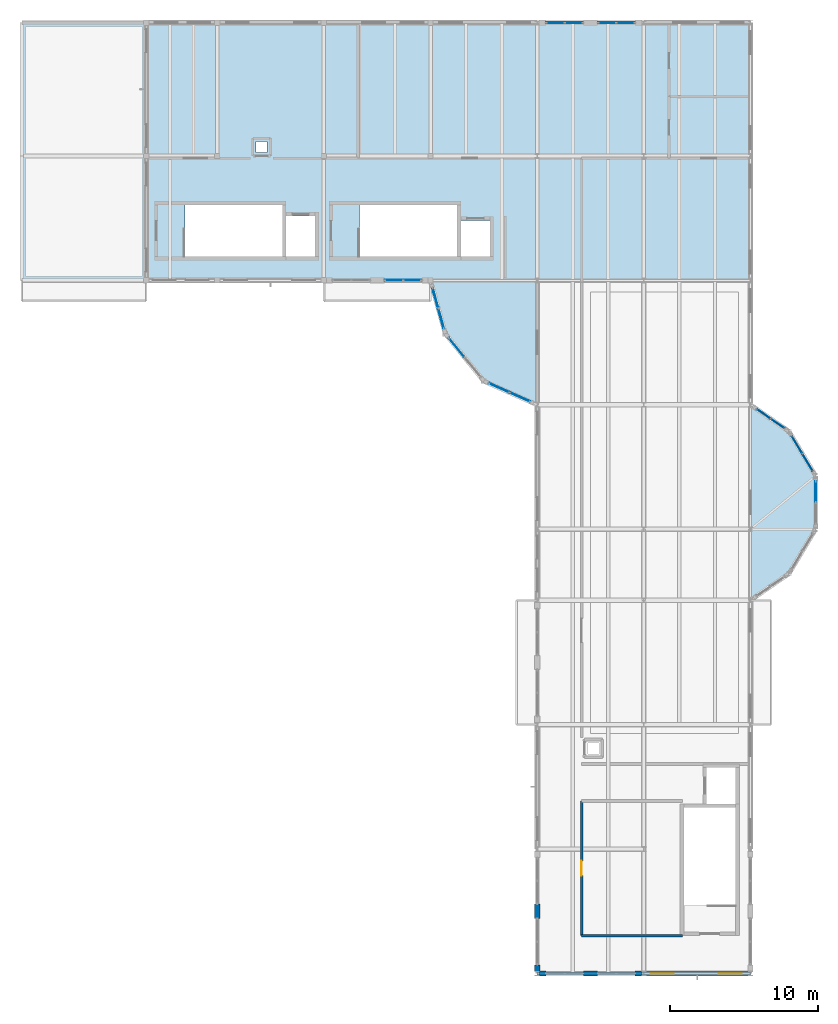
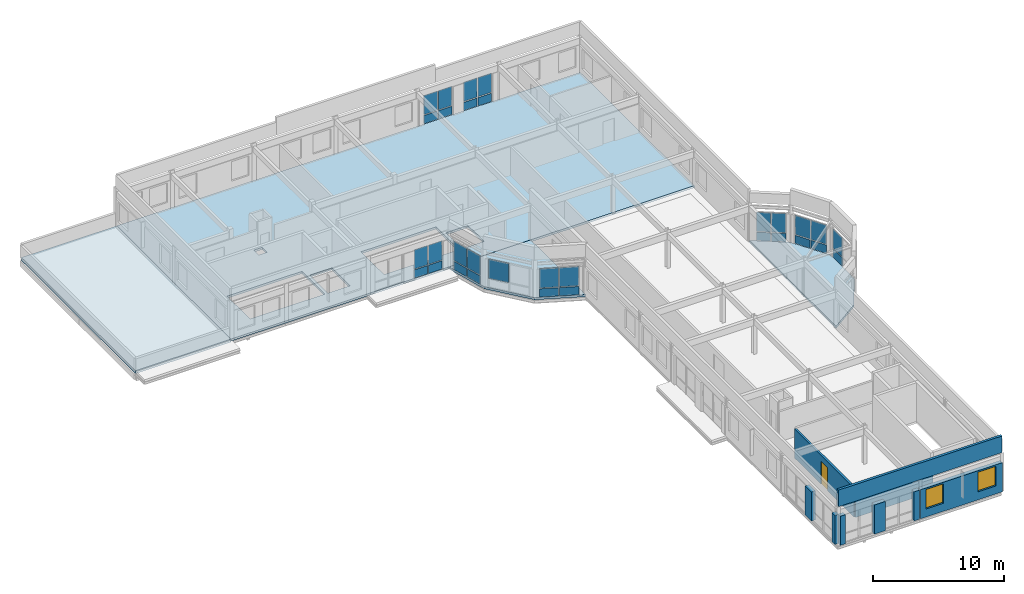
# One storey, part 15 of 21: 31 plates, 9 walls, 4 slabs, 2 windows, 1 door, 3 openings, 9 elements without a shape of their own.
"""IFC4 building model written with IfcOpenShell, lengths in metres."""

from ifc_helpers import new_model, si_unit, direction, frame, frame_2d, origin, origin_2d, place, context, subcontext, project, spatial, polyline, rectangle, outline, extrude, material, layer, layer_set, type_object, element, fill, aggregate, save


model = new_model("IFC4")

# Units and contexts
model_context = context("Model", 3, precision=1e-05, world=origin(), true_north=direction((0.0, 1.0)))
body_context = subcontext(model_context, "Body", "Model", "MODEL_VIEW")
ifc_project = project(units=[si_unit("LENGTHUNIT", "METRE"), si_unit("AREAUNIT", "SQUARE_METRE"), si_unit("VOLUMEUNIT", "CUBIC_METRE"), si_unit("PLANEANGLEUNIT", "RADIAN"), si_unit("MASSUNIT", "GRAM", prefix="KILO")], contexts=[model_context])

# Site, building, storey
site_placement = place(None, origin())
site = spatial("IfcSite", under=ifc_project, at=site_placement, CompositionType="ELEMENT")
building_placement = place(site_placement, origin())
building = spatial("IfcBuilding", under=site, at=building_placement, Name="Kahlenmark Community Centre", CompositionType="ELEMENT")
storey_placement = place(building_placement, frame((0.0, 0.0, 21.60009765625)))
storey = spatial("IfcBuildingStorey", under=building, at=storey_placement, Name="L05", CompositionType="ELEMENT", Elevation=21.60009765625)

# Curtain wall, plates
ifc_material_1 = material(Name="Anodised aluminium unitised curtain wall", Category="aluminium")
curtain_wall_type_1 = type_object("IfcCurtainWallType", Name="CWT-UNIT-232X271", PredefinedType="USERDEFINED", material=ifc_material_1)
curtain_wall_1_placement = place(storey_placement, origin())
curtain_wall_1 = element("IfcCurtainWall", 1, at=curtain_wall_1_placement, inside=storey, type_object=curtain_wall_type_1, Name="Unitised curtain wall CW-175", ObjectType="UNITISED CURTAIN WALL", PredefinedType="USERDEFINED")
ifc_material_2 = material(Name="Triple low-e solar-control glass unit", Category="glass")
ifc_layer_1 = layer(ifc_material_2, 0.0439453125)
ifc_layer_set_1 = layer_set([ifc_layer_1], Name="Triple low-e solar-control glass unit")
plate_type_1 = type_object("IfcPlateType", Name="PLT-CW-GLZ-1081X1780", PredefinedType="CURTAIN_PANEL", material=ifc_layer_set_1)
plate_1_placement = place(storey_placement, frame((88.643310546875, 87.924072265625, 0.8896484375), z_axis=(0.0, 0.0, 1.0), x_axis=(-0.822190736534, 0.56921208065, 0.0)))
plate_1 = element("IfcPlate", 2, at=plate_1_placement, type_object=plate_type_1, Name="CW-175 glazed panel 1", PredefinedType="CURTAIN_PANEL", context=body_context, shape_type="SweptSolid", body=[
    extrude(rectangle(XDim=1.081298828125, YDim=0.0439453125, at=origin_2d()), origin(), (0.0, 0.0, 1.0), 1.780029296875),
])
plate_2_placement = place(storey_placement, frame((87.6884765625, 88.5849609375, 0.8896484375), z_axis=(0.0, 0.0, 1.0), x_axis=(-0.822190736534, 0.56921208065, 0.0)))
plate_2 = element("IfcPlate", 3, at=plate_2_placement, type_object=plate_type_1, Name="CW-175 glazed panel 2", PredefinedType="CURTAIN_PANEL", context=body_context, shape_type="SweptSolid", body=[
    extrude(rectangle(XDim=1.081298828125, YDim=0.0439453125, at=origin_2d()), origin(), (0.0, 0.0, 1.0), 1.780029296875),
])

curtain_wall_type_2 = type_object("IfcCurtainWallType", Name="CWT-UNIT-254X271", PredefinedType="USERDEFINED", material=ifc_material_1)
curtain_wall_2_placement = place(storey_placement, origin())
curtain_wall_2 = element("IfcCurtainWall", 4, at=curtain_wall_2_placement, inside=storey, type_object=curtain_wall_type_2, Name="Unitised curtain wall CW-140", ObjectType="UNITISED CURTAIN WALL", PredefinedType="USERDEFINED")
ifc_layer_2 = layer(ifc_material_2, 0.0439453125)
ifc_layer_set_2 = layer_set([ifc_layer_2], Name="Triple low-e solar-control glass unit")
plate_type_2 = type_object("IfcPlateType", Name="PLT-CW-GLZ-1190X1780", PredefinedType="CURTAIN_PANEL", material=ifc_layer_set_2)
plate_3_placement = place(storey_placement, frame((62.715087890625, 97.60009765625, 0.8896484375), z_axis=(0.0, 0.0, 1.0), x_axis=(1.0, 0.0, 0.0)))
plate_3 = element("IfcPlate", 5, at=plate_3_placement, type_object=plate_type_2, Name="CW-140 glazed panel 1", PredefinedType="CURTAIN_PANEL", context=body_context, shape_type="SweptSolid", body=[
    extrude(rectangle(XDim=1.18994140625, YDim=0.0439453125, at=origin_2d()), origin(), (0.0, 0.0, 1.0), 1.780029296875),
])
plate_4_placement = place(storey_placement, frame((63.985107421875, 97.60009765625, 0.8896484375), z_axis=(0.0, 0.0, 1.0), x_axis=(1.0, 0.0, 0.0)))
plate_4 = element("IfcPlate", 6, at=plate_4_placement, type_object=plate_type_2, Name="CW-140 glazed panel 2", PredefinedType="CURTAIN_PANEL", context=body_context, shape_type="SweptSolid", body=[
    extrude(rectangle(XDim=1.18994140625, YDim=0.0439453125, at=origin_2d()), origin(), (0.0, 0.0, 1.0), 1.780029296875),
])

curtain_wall_3_placement = place(storey_placement, origin())
curtain_wall_3 = element("IfcCurtainWall", 7, at=curtain_wall_3_placement, inside=storey, type_object=curtain_wall_type_2, Name="Unitised curtain wall CW-141", ObjectType="UNITISED CURTAIN WALL", PredefinedType="USERDEFINED")
plate_5_placement = place(storey_placement, frame((78.385009765625, 115.0, 0.8896484375), z_axis=(0.0, 0.0, 1.0), x_axis=(-1.0, 0.0, 0.0)))
plate_5 = element("IfcPlate", 8, at=plate_5_placement, type_object=plate_type_2, Name="CW-141 glazed panel 1", PredefinedType="CURTAIN_PANEL", context=body_context, shape_type="SweptSolid", body=[
    extrude(rectangle(XDim=1.18994140625, YDim=0.0439453125, at=origin_2d()), origin(), (0.0, 0.0, 1.0), 1.780029296875),
])
plate_6_placement = place(storey_placement, frame((77.114990234375, 115.0, 0.8896484375), z_axis=(0.0, 0.0, 1.0), x_axis=(-1.0, 0.0, 0.0)))
plate_6 = element("IfcPlate", 9, at=plate_6_placement, type_object=plate_type_2, Name="CW-141 glazed panel 2", PredefinedType="CURTAIN_PANEL", context=body_context, shape_type="SweptSolid", body=[
    extrude(rectangle(XDim=1.18994140625, YDim=0.0439453125, at=origin_2d()), origin(), (0.0, 0.0, 1.0), 1.780029296875),
])

curtain_wall_4_placement = place(storey_placement, origin())
curtain_wall_4 = element("IfcCurtainWall", 10, at=curtain_wall_4_placement, inside=storey, type_object=curtain_wall_type_2, Name="Unitised curtain wall CW-142", ObjectType="UNITISED CURTAIN WALL", PredefinedType="USERDEFINED")
plate_7_placement = place(storey_placement, frame((74.885009765625, 115.0, 0.8896484375), z_axis=(0.0, 0.0, 1.0), x_axis=(-1.0, 0.0, 0.0)))
plate_7 = element("IfcPlate", 11, at=plate_7_placement, type_object=plate_type_2, Name="CW-142 glazed panel 1", PredefinedType="CURTAIN_PANEL", context=body_context, shape_type="SweptSolid", body=[
    extrude(rectangle(XDim=1.18994140625, YDim=0.0439453125, at=origin_2d()), origin(), (0.0, 0.0, 1.0), 1.780029296875),
])
plate_8_placement = place(storey_placement, frame((73.614990234375, 115.0, 0.8896484375), z_axis=(0.0, 0.0, 1.0), x_axis=(-1.0, 0.0, 0.0)))
plate_8 = element("IfcPlate", 12, at=plate_8_placement, type_object=plate_type_2, Name="CW-142 glazed panel 2", PredefinedType="CURTAIN_PANEL", context=body_context, shape_type="SweptSolid", body=[
    extrude(rectangle(XDim=1.18994140625, YDim=0.0439453125, at=origin_2d()), origin(), (0.0, 0.0, 1.0), 1.780029296875),
])

curtain_wall_type_3 = type_object("IfcCurtainWallType", Name="CWT-UNIT-282X271", PredefinedType="USERDEFINED", material=ifc_material_1)
curtain_wall_5_placement = place(storey_placement, origin())
curtain_wall_5 = element("IfcCurtainWall", 13, at=curtain_wall_5_placement, inside=storey, type_object=curtain_wall_type_3, Name="Unitised curtain wall CW-174", ObjectType="UNITISED CURTAIN WALL", PredefinedType="USERDEFINED")
ifc_layer_3 = layer(ifc_material_2, 0.0439453125)
ifc_layer_set_3 = layer_set([ifc_layer_3], Name="Triple low-e solar-control glass unit")
plate_type_3 = type_object("IfcPlateType", Name="PLT-CW-GLZ-1329X1780", PredefinedType="CURTAIN_PANEL", material=ifc_layer_set_3)
plate_9_placement = place(storey_placement, frame((90.66259765625, 85.295654296875, 0.8896484375), z_axis=(0.0, 0.0, 1.0), x_axis=(-0.514496405972, 0.857492535386, 0.0)))
plate_9 = element("IfcPlate", 14, at=plate_9_placement, type_object=plate_type_3, Name="CW-174 glazed panel 1", PredefinedType="CURTAIN_PANEL", context=body_context, shape_type="SweptSolid", body=[
    extrude(rectangle(XDim=1.329345703125, YDim=0.0439453125, at=origin_2d()), origin(), (0.0, 0.0, 1.0), 1.780029296875),
])
plate_10_placement = place(storey_placement, frame((89.9375, 86.504150390625, 0.8896484375), z_axis=(0.0, 0.0, 1.0), x_axis=(-0.514496405972, 0.857492535386, 0.0)))
plate_10 = element("IfcPlate", 15, at=plate_10_placement, type_object=plate_type_3, Name="CW-174 glazed panel 2", PredefinedType="CURTAIN_PANEL", context=body_context, shape_type="SweptSolid", body=[
    extrude(rectangle(XDim=1.329345703125, YDim=0.0439453125, at=origin_2d()), origin(), (0.0, 0.0, 1.0), 1.780029296875),
])

curtain_wall_type_4 = type_object("IfcCurtainWallType", Name="CWT-UNIT-290X271", PredefinedType="USERDEFINED", material=ifc_material_1)
curtain_wall_6_placement = place(storey_placement, origin())
curtain_wall_6 = element("IfcCurtainWall", 16, at=curtain_wall_6_placement, inside=storey, type_object=curtain_wall_type_4, Name="Unitised curtain wall CW-188", ObjectType="UNITISED CURTAIN WALL", PredefinedType="USERDEFINED")
ifc_layer_4 = layer(ifc_material_2, 0.0439453125)
ifc_layer_set_4 = layer_set([ifc_layer_4], Name="Triple low-e solar-control glass unit")
plate_type_4 = type_object("IfcPlateType", Name="PLT-CW-GLZ-1368X1780", PredefinedType="CURTAIN_PANEL", material=ifc_layer_set_4)
plate_11_placement = place(storey_placement, frame((65.527587890625, 96.420654296875, 0.8896484375), z_axis=(0.0, 0.0, 1.0), x_axis=(0.26765376878, -0.963515158188, 0.0)))
plate_11 = element("IfcPlate", 17, at=plate_11_placement, type_object=plate_type_4, Name="CW-188 glazed panel 1", PredefinedType="CURTAIN_PANEL", context=body_context, shape_type="SweptSolid", body=[
    extrude(rectangle(XDim=1.3681640625, YDim=0.0439453125, at=origin_2d()), origin(), (0.0, 0.0, 1.0), 1.780029296875),
])
plate_12_placement = place(storey_placement, frame((65.915283203125, 95.025146484375, 0.8896484375), z_axis=(0.0, 0.0, 1.0), x_axis=(0.26765376878, -0.963515158188, 0.0)))
plate_12 = element("IfcPlate", 18, at=plate_12_placement, type_object=plate_type_4, Name="CW-188 glazed panel 2", PredefinedType="CURTAIN_PANEL", context=body_context, shape_type="SweptSolid", body=[
    extrude(rectangle(XDim=1.3681640625, YDim=0.0439453125, at=origin_2d()), origin(), (0.0, 0.0, 1.0), 1.780029296875),
])

# Curtain wall, plate
curtain_wall_type_5 = type_object("IfcCurtainWallType", Name="CWT-UNIT-292X271", PredefinedType="USERDEFINED", material=ifc_material_1)
curtain_wall_7_placement = place(storey_placement, origin())
curtain_wall_7 = element("IfcCurtainWall", 19, at=curtain_wall_7_placement, inside=storey, type_object=curtain_wall_type_5, Name="Unitised curtain wall CW-173", ObjectType="UNITISED CURTAIN WALL", PredefinedType="USERDEFINED")
ifc_layer_5 = layer(ifc_material_2, 0.0439453125)
ifc_layer_set_5 = layer_set([ifc_layer_5], Name="Triple low-e solar-control glass unit")
plate_type_5 = type_object("IfcPlateType", Name="PLT-CW-GLZ-1380X1780", PredefinedType="CURTAIN_PANEL", material=ifc_layer_set_5)
plate_13_placement = place(storey_placement, frame((91.199951171875, 83.330078125, 0.8896484375), z_axis=(0.0, 0.0, 1.0), x_axis=(0.0, 1.0, 0.0)))
plate_13 = element("IfcPlate", 20, at=plate_13_placement, type_object=plate_type_5, Name="CW-173 glazed panel 2", PredefinedType="CURTAIN_PANEL", context=body_context, shape_type="SweptSolid", body=[
    extrude(rectangle(XDim=1.3798828125, YDim=0.0439453125, at=origin_2d()), origin(), (0.0, 0.0, 1.0), 1.780029296875),
])

# Curtain wall, plates
curtain_wall_type_6 = type_object("IfcCurtainWallType", Name="CWT-UNIT-310X271", PredefinedType="USERDEFINED", material=ifc_material_1)
curtain_wall_8_placement = place(storey_placement, origin())
curtain_wall_8 = element("IfcCurtainWall", 21, at=curtain_wall_8_placement, inside=storey, type_object=curtain_wall_type_6, Name="Unitised curtain wall CW-190", ObjectType="UNITISED CURTAIN WALL", PredefinedType="USERDEFINED")
ifc_layer_6 = layer(ifc_material_2, 0.0439453125)
ifc_layer_set_6 = layer_set([ifc_layer_6], Name="Triple low-e solar-control glass unit")
plate_type_6 = type_object("IfcPlateType", Name="PLT-CW-GLZ-1470X1780", PredefinedType="CURTAIN_PANEL", material=ifc_layer_set_6)
plate_14_placement = place(storey_placement, frame((69.81884765625, 90.34716796875, 0.8896484375), z_axis=(0.0, 0.0, 1.0), x_axis=(0.913817141143, -0.406125882643, 0.0)))
plate_14 = element("IfcPlate", 22, at=plate_14_placement, type_object=plate_type_6, Name="CW-190 glazed panel 1", PredefinedType="CURTAIN_PANEL", context=body_context, shape_type="SweptSolid", body=[
    extrude(rectangle(XDim=1.4697265625, YDim=0.0439453125, at=origin_2d()), origin(), (0.0, 0.0, 1.0), 1.780029296875),
])
plate_15_placement = place(storey_placement, frame((71.235107421875, 89.7177734375, 0.8896484375), z_axis=(0.0, 0.0, 1.0), x_axis=(0.913817141143, -0.406125882643, 0.0)))
plate_15 = element("IfcPlate", 23, at=plate_15_placement, type_object=plate_type_6, Name="CW-190 glazed panel 2", PredefinedType="CURTAIN_PANEL", context=body_context, shape_type="SweptSolid", body=[
    extrude(rectangle(XDim=1.4697265625, YDim=0.0439453125, at=origin_2d()), origin(), (0.0, 0.0, 1.0), 1.780029296875),
])

# Curtain wall, plate
curtain_wall_type_7 = type_object("IfcCurtainWallType", Name="CWT-UNIT-344X271", PredefinedType="USERDEFINED", material=ifc_material_1)
curtain_wall_9_placement = place(storey_placement, origin())
curtain_wall_9 = element("IfcCurtainWall", 24, at=curtain_wall_9_placement, inside=storey, type_object=curtain_wall_type_7, Name="Unitised curtain wall CW-189", ObjectType="UNITISED CURTAIN WALL", PredefinedType="USERDEFINED")
ifc_layer_7 = layer(ifc_material_2, 0.0439453125)
ifc_layer_set_7 = layer_set([ifc_layer_7], Name="Triple low-e solar-control glass unit")
plate_type_7 = type_object("IfcPlateType", Name="PLT-CW-GLZ-1642X1780", PredefinedType="CURTAIN_PANEL", material=ifc_layer_set_7)
plate_16_placement = place(storey_placement, frame((66.957275390625, 93.068115234375, 0.8896484375), z_axis=(0.0, 0.0, 1.0), x_axis=(0.63059860029, -0.776109145231, 0.0)))
plate_16 = element("IfcPlate", 25, at=plate_16_placement, type_object=plate_type_7, Name="CW-189 glazed panel 1", PredefinedType="CURTAIN_PANEL", context=body_context, shape_type="SweptSolid", body=[
    extrude(rectangle(XDim=1.6416015625, YDim=0.0439453125, at=origin_2d()), origin(), (0.0, 0.0, 1.0), 1.780029296875),
])
aggregate(curtain_wall_9, [plate_16])

# Plate
ifc_material_3 = material(Name="Warm terracotta insulated spandrel cassette", Category="masonry")
ifc_layer_8 = layer(ifc_material_3, 0.06005859375)
ifc_layer_set_8 = layer_set([ifc_layer_8], Name="Warm terracotta insulated spandrel cassette")
plate_type_8 = type_object("IfcPlateType", Name="PLT-CW-SPD-1081X770", PredefinedType="CURTAIN_PANEL", material=ifc_layer_set_8)
plate_17_placement = place(storey_placement, frame((88.643310546875, 87.924072265625, 0.039794921875), z_axis=(0.0, 0.0, 1.0), x_axis=(-0.822190736534, 0.56921208065, 0.0)))
plate_17 = element("IfcPlate", 26, at=plate_17_placement, type_object=plate_type_8, Name="CW-175 spandrel 1", PredefinedType="CURTAIN_PANEL", context=body_context, shape_type="SweptSolid", body=[
    extrude(rectangle(XDim=1.081298828125, YDim=0.06005859375, at=origin_2d()), origin(), (0.0, 0.0, 1.0), 0.77001953125),
])

plate_18_placement = place(storey_placement, frame((87.6884765625, 88.5849609375, 0.039794921875), z_axis=(0.0, 0.0, 1.0), x_axis=(-0.822190736534, 0.56921208065, 0.0)))
plate_18 = element("IfcPlate", 27, at=plate_18_placement, type_object=plate_type_8, Name="CW-175 spandrel 2", PredefinedType="CURTAIN_PANEL", context=body_context, shape_type="SweptSolid", body=[
    extrude(rectangle(XDim=1.081298828125, YDim=0.06005859375, at=origin_2d()), origin(), (0.0, 0.0, 1.0), 0.77001953125),
])

aggregate(curtain_wall_1, [plate_17, plate_1, plate_18, plate_2])

ifc_layer_9 = layer(ifc_material_3, 0.06005859375)
ifc_layer_set_9 = layer_set([ifc_layer_9], Name="Warm terracotta insulated spandrel cassette")
plate_type_9 = type_object("IfcPlateType", Name="PLT-CW-SPD-1190X770", PredefinedType="CURTAIN_PANEL", material=ifc_layer_set_9)
plate_19_placement = place(storey_placement, frame((62.715087890625, 97.60009765625, 0.039794921875), z_axis=(0.0, 0.0, 1.0), x_axis=(1.0, 0.0, 0.0)))
plate_19 = element("IfcPlate", 28, at=plate_19_placement, type_object=plate_type_9, Name="CW-140 spandrel 1", PredefinedType="CURTAIN_PANEL", context=body_context, shape_type="SweptSolid", body=[
    extrude(rectangle(XDim=1.18994140625, YDim=0.06005859375, at=origin_2d()), origin(), (0.0, 0.0, 1.0), 0.77001953125),
])

plate_20_placement = place(storey_placement, frame((63.985107421875, 97.60009765625, 0.039794921875), z_axis=(0.0, 0.0, 1.0), x_axis=(1.0, 0.0, 0.0)))
plate_20 = element("IfcPlate", 29, at=plate_20_placement, type_object=plate_type_9, Name="CW-140 spandrel 2", PredefinedType="CURTAIN_PANEL", context=body_context, shape_type="SweptSolid", body=[
    extrude(rectangle(XDim=1.18994140625, YDim=0.06005859375, at=origin_2d()), origin(), (0.0, 0.0, 1.0), 0.77001953125),
])

aggregate(curtain_wall_2, [plate_19, plate_3, plate_20, plate_4])

plate_21_placement = place(storey_placement, frame((78.385009765625, 115.0, 0.039794921875), z_axis=(0.0, 0.0, 1.0), x_axis=(-1.0, 0.0, 0.0)))
plate_21 = element("IfcPlate", 30, at=plate_21_placement, type_object=plate_type_9, Name="CW-141 spandrel 1", PredefinedType="CURTAIN_PANEL", context=body_context, shape_type="SweptSolid", body=[
    extrude(rectangle(XDim=1.18994140625, YDim=0.06005859375, at=origin_2d()), origin(), (0.0, 0.0, 1.0), 0.77001953125),
])

plate_22_placement = place(storey_placement, frame((77.114990234375, 115.0, 0.039794921875), z_axis=(0.0, 0.0, 1.0), x_axis=(-1.0, 0.0, 0.0)))
plate_22 = element("IfcPlate", 31, at=plate_22_placement, type_object=plate_type_9, Name="CW-141 spandrel 2", PredefinedType="CURTAIN_PANEL", context=body_context, shape_type="SweptSolid", body=[
    extrude(rectangle(XDim=1.18994140625, YDim=0.06005859375, at=origin_2d()), origin(), (0.0, 0.0, 1.0), 0.77001953125),
])

aggregate(curtain_wall_3, [plate_21, plate_5, plate_22, plate_6])

plate_23_placement = place(storey_placement, frame((74.885009765625, 115.0, 0.039794921875), z_axis=(0.0, 0.0, 1.0), x_axis=(-1.0, 0.0, 0.0)))
plate_23 = element("IfcPlate", 32, at=plate_23_placement, type_object=plate_type_9, Name="CW-142 spandrel 1", PredefinedType="CURTAIN_PANEL", context=body_context, shape_type="SweptSolid", body=[
    extrude(rectangle(XDim=1.18994140625, YDim=0.06005859375, at=origin_2d()), origin(), (0.0, 0.0, 1.0), 0.77001953125),
])

plate_24_placement = place(storey_placement, frame((73.614990234375, 115.0, 0.039794921875), z_axis=(0.0, 0.0, 1.0), x_axis=(-1.0, 0.0, 0.0)))
plate_24 = element("IfcPlate", 33, at=plate_24_placement, type_object=plate_type_9, Name="CW-142 spandrel 2", PredefinedType="CURTAIN_PANEL", context=body_context, shape_type="SweptSolid", body=[
    extrude(rectangle(XDim=1.18994140625, YDim=0.06005859375, at=origin_2d()), origin(), (0.0, 0.0, 1.0), 0.77001953125),
])

aggregate(curtain_wall_4, [plate_23, plate_7, plate_24, plate_8])

ifc_layer_10 = layer(ifc_material_3, 0.06005859375)
ifc_layer_set_10 = layer_set([ifc_layer_10], Name="Warm terracotta insulated spandrel cassette")
plate_type_10 = type_object("IfcPlateType", Name="PLT-CW-SPD-1329X770", PredefinedType="CURTAIN_PANEL", material=ifc_layer_set_10)
plate_25_placement = place(storey_placement, frame((90.66259765625, 85.295654296875, 0.039794921875), z_axis=(0.0, 0.0, 1.0), x_axis=(-0.514496405972, 0.857492535386, 0.0)))
plate_25 = element("IfcPlate", 34, at=plate_25_placement, type_object=plate_type_10, Name="CW-174 spandrel 1", PredefinedType="CURTAIN_PANEL", context=body_context, shape_type="SweptSolid", body=[
    extrude(rectangle(XDim=1.329345703125, YDim=0.06005859375, at=origin_2d()), origin(), (0.0, 0.0, 1.0), 0.77001953125),
])

plate_26_placement = place(storey_placement, frame((89.9375, 86.504150390625, 0.039794921875), z_axis=(0.0, 0.0, 1.0), x_axis=(-0.514496405972, 0.857492535386, 0.0)))
plate_26 = element("IfcPlate", 35, at=plate_26_placement, type_object=plate_type_10, Name="CW-174 spandrel 2", PredefinedType="CURTAIN_PANEL", context=body_context, shape_type="SweptSolid", body=[
    extrude(rectangle(XDim=1.329345703125, YDim=0.06005859375, at=origin_2d()), origin(), (0.0, 0.0, 1.0), 0.77001953125),
])

aggregate(curtain_wall_5, [plate_25, plate_9, plate_26, plate_10])

ifc_layer_11 = layer(ifc_material_3, 0.06005859375)
ifc_layer_set_11 = layer_set([ifc_layer_11], Name="Warm terracotta insulated spandrel cassette")
plate_type_11 = type_object("IfcPlateType", Name="PLT-CW-SPD-1368X770", PredefinedType="CURTAIN_PANEL", material=ifc_layer_set_11)
plate_27_placement = place(storey_placement, frame((65.527587890625, 96.420654296875, 0.039794921875), z_axis=(0.0, 0.0, 1.0), x_axis=(0.26765376878, -0.963515158188, 0.0)))
plate_27 = element("IfcPlate", 36, at=plate_27_placement, type_object=plate_type_11, Name="CW-188 spandrel 1", PredefinedType="CURTAIN_PANEL", context=body_context, shape_type="SweptSolid", body=[
    extrude(rectangle(XDim=1.3681640625, YDim=0.06005859375, at=origin_2d()), origin(), (0.0, 0.0, 1.0), 0.77001953125),
])

plate_28_placement = place(storey_placement, frame((65.915283203125, 95.025146484375, 0.039794921875), z_axis=(0.0, 0.0, 1.0), x_axis=(0.26765376878, -0.963515158188, 0.0)))
plate_28 = element("IfcPlate", 37, at=plate_28_placement, type_object=plate_type_11, Name="CW-188 spandrel 2", PredefinedType="CURTAIN_PANEL", context=body_context, shape_type="SweptSolid", body=[
    extrude(rectangle(XDim=1.3681640625, YDim=0.06005859375, at=origin_2d()), origin(), (0.0, 0.0, 1.0), 0.77001953125),
])

aggregate(curtain_wall_6, [plate_27, plate_11, plate_28, plate_12])

ifc_layer_12 = layer(ifc_material_3, 0.06005859375)
ifc_layer_set_12 = layer_set([ifc_layer_12], Name="Warm terracotta insulated spandrel cassette")
plate_type_12 = type_object("IfcPlateType", Name="PLT-CW-SPD-1380X770", PredefinedType="CURTAIN_PANEL", material=ifc_layer_set_12)
plate_29_placement = place(storey_placement, frame((91.199951171875, 83.330078125, 0.039794921875), z_axis=(0.0, 0.0, 1.0), x_axis=(0.0, 1.0, 0.0)))
plate_29 = element("IfcPlate", 38, at=plate_29_placement, type_object=plate_type_12, Name="CW-173 spandrel 2", PredefinedType="CURTAIN_PANEL", context=body_context, shape_type="SweptSolid", body=[
    extrude(rectangle(XDim=1.3798828125, YDim=0.06005859375, at=origin_2d()), origin(), (0.0, 0.0, 1.0), 0.77001953125),
])

aggregate(curtain_wall_7, [plate_29, plate_13])

ifc_layer_13 = layer(ifc_material_3, 0.06005859375)
ifc_layer_set_13 = layer_set([ifc_layer_13], Name="Warm terracotta insulated spandrel cassette")
plate_type_13 = type_object("IfcPlateType", Name="PLT-CW-SPD-1470X770", PredefinedType="CURTAIN_PANEL", material=ifc_layer_set_13)
plate_30_placement = place(storey_placement, frame((69.81884765625, 90.34716796875, 0.039794921875), z_axis=(0.0, 0.0, 1.0), x_axis=(0.913817141143, -0.406125882643, 0.0)))
plate_30 = element("IfcPlate", 39, at=plate_30_placement, type_object=plate_type_13, Name="CW-190 spandrel 1", PredefinedType="CURTAIN_PANEL", context=body_context, shape_type="SweptSolid", body=[
    extrude(rectangle(XDim=1.4697265625, YDim=0.06005859375, at=origin_2d()), origin(), (0.0, 0.0, 1.0), 0.77001953125),
])

plate_31_placement = place(storey_placement, frame((71.235107421875, 89.7177734375, 0.039794921875), z_axis=(0.0, 0.0, 1.0), x_axis=(0.913817141143, -0.406125882643, 0.0)))
plate_31 = element("IfcPlate", 40, at=plate_31_placement, type_object=plate_type_13, Name="CW-190 spandrel 2", PredefinedType="CURTAIN_PANEL", context=body_context, shape_type="SweptSolid", body=[
    extrude(rectangle(XDim=1.4697265625, YDim=0.06005859375, at=origin_2d()), origin(), (0.0, 0.0, 1.0), 0.77001953125),
])

aggregate(curtain_wall_8, [plate_30, plate_14, plate_31, plate_15])

# Slabs
ifc_material_4 = material(Name="Cross-laminated timber CLT C24", Category="wood")
ifc_layer_14 = layer(ifc_material_4, 0.199951171875)
ifc_layer_set_14 = layer_set([ifc_layer_14], Name="Cross-laminated timber CLT C24")
slab_type_1 = type_object("IfcSlabType", Name="ST-FL-CLT200", PredefinedType="FLOOR", material=ifc_layer_set_14)
slab_1_placement = place(storey_placement, frame((0.0, 0.0, -0.2001953125)))
element("IfcSlab", 41, at=slab_1_placement, inside=storey, type_object=slab_type_1, Name="L05 suspended floor slab V4N", PredefinedType="FLOOR", context=body_context, shape_type="SweptSolid", body=[
    extrude(outline(polyline([(46.0, 97.60009765625), (86.800048828125, 97.60009765625), (86.800048828125, 115.0), (46.0, 115.0), (46.0, 97.60009765625)]), holes=[polyline([(48.60595703125, 99.2060546875), (55.194091796875, 99.2060546875), (55.194091796875, 102.694091796875), (48.60595703125, 102.694091796875), (48.60595703125, 99.2060546875)]), polyline([(60.406005859375, 99.2060546875), (66.993896484375, 99.2060546875), (66.993896484375, 102.694091796875), (60.406005859375, 102.694091796875), (60.406005859375, 99.2060546875)]), polyline([(55.4560546875, 99.2060546875), (57.404052734375, 99.2060546875), (57.404052734375, 101.9541015625), (55.4560546875, 101.9541015625), (55.4560546875, 99.2060546875)]), polyline([(67.256103515625, 99.2060546875), (69.2041015625, 99.2060546875), (69.2041015625, 101.654052734375), (67.256103515625, 101.654052734375), (67.256103515625, 99.2060546875)]), polyline([(53.426025390625, 106.22607421875), (54.174072265625, 106.22607421875), (54.174072265625, 106.97412109375), (53.426025390625, 106.97412109375), (53.426025390625, 106.22607421875)])]), origin(), (0.0, 0.0, 1.0), 0.2001953125),
])
slab_2_placement = place(storey_placement, frame((0.0, 0.0, -0.2001953125)))
element("IfcSlab", 42, at=slab_2_placement, inside=storey, type_object=slab_type_1, Name="L05 East Square Postmodern Library Reading Rotunda floor slab", PredefinedType="FLOOR", context=body_context, shape_type="SweptSolid", body=[
    extrude(outline(polyline([(86.800048828125, 76.0), (89.39990234375, 77.800048828125), (91.199951171875, 80.800048828125), (91.199951171875, 84.39990234375), (89.39990234375, 87.39990234375), (86.800048828125, 89.199951171875), (86.800048828125, 76.0)])), origin(), (0.0, 0.0, 1.0), 0.2001953125),
])
slab_3_placement = place(storey_placement, frame((0.0, 0.0, -0.2001953125)))
element("IfcSlab", 43, at=slab_3_placement, inside=storey, type_object=slab_type_1, Name="L05 Central Courtyard Postmodern Faceted Rotunda Foyer floor slab", PredefinedType="FLOOR", context=body_context, shape_type="SweptSolid", body=[
    extrude(outline(polyline([(65.199951171875, 97.60009765625), (66.199951171875, 94.0), (68.800048828125, 90.800048828125), (72.39990234375, 89.199951171875), (72.39990234375, 97.60009765625), (65.199951171875, 97.60009765625)])), origin(), (0.0, 0.0, 1.0), 0.2001953125),
])
ifc_layer_15 = layer(ifc_material_4, 0.280029296875)
ifc_layer_set_15 = layer_set([ifc_layer_15], Name="Cross-laminated timber CLT C24")
slab_type_2 = type_object("IfcSlabType", Name="ST-RF-FLAT280", PredefinedType="ROOF", material=ifc_layer_set_15)
slab_4_placement = place(storey_placement, frame((0.0, 0.0, -0.280029296875)))
element("IfcSlab", 44, at=slab_4_placement, inside=storey, type_object=slab_type_2, Name="Flat insulated roof deck RF-L05-V4NMID", PredefinedType="ROOF", context=body_context, shape_type="SweptSolid", body=[
    extrude(outline(polyline([(37.60009765625, 97.60009765625), (46.0, 97.60009765625), (46.0, 115.0), (37.60009765625, 115.0), (37.60009765625, 97.60009765625)])), origin(), (0.0, 0.0, 1.0), 0.280029296875),
])

# Walls
ifc_material_5 = material(Name="Danube limestone masonry", Category="masonry")
ifc_layer_16 = layer(ifc_material_5, 0.360107421875)
ifc_layer_set_16 = layer_set([ifc_layer_16], Name="Danube limestone masonry")
wall_type_1 = type_object("IfcWallType", Name="WT-EW-360", PredefinedType="SOLIDWALL", material=ifc_layer_set_16)
wall_1_placement = place(storey_placement, frame((75.52001953125, 50.800048828125, 0.0), z_axis=(0.0, 0.0, 1.0), x_axis=(1.0, 0.0, 0.0)))
element("IfcWall", 45, at=wall_1_placement, inside=storey, type_object=wall_type_1, Name="Postmodern limestone pier 0684", PredefinedType="SOLIDWALL", context=body_context, shape_type="SweptSolid", body=[
    extrude(rectangle(XDim=0.9599609375, YDim=0.360107421875, at=frame_2d((0.47998046875, 0.0))), origin(), (0.0, 0.0, 1.0), 2.7099609375),
])
for number, where, z_axis, x_axis, name in (
    (46, (72.530029296875, 50.800048828125, 0.0), (0.0, 0.0, 1.0), (1.0, 0.0, 0.0), "Column closure pier 0685"),
    (47, (79.02001953125, 50.800048828125, 0.0), (0.0, 0.0, 1.0), (1.0, 0.0, 0.0), "Column closure pier 0686"),
):
    element("IfcWall", number, at=place(storey_placement, frame(where, z_axis=z_axis, x_axis=x_axis)), inside=storey, type_object=wall_type_1, Name=name, PredefinedType="SOLIDWALL", context=body_context, shape_type="SweptSolid", body=[
        extrude(rectangle(XDim=0.449951171875, YDim=0.360107421875, at=frame_2d((0.22509765625, 0.0))), origin(), (0.0, 0.0, 1.0), 2.7099609375),
    ])

# Wall, openings, windows
wall_2_placement = place(storey_placement, frame((79.60009765625, 50.800048828125, 0.0), z_axis=(0.0, 0.0, 1.0), x_axis=(1.0, 0.0, 0.0)))
wall_2 = element("IfcWall", 48, at=wall_2_placement, inside=storey, type_object=wall_type_1, Name="Exterior wall WL-EXT-L05-0687", PredefinedType="SOLIDWALL", context=body_context, shape_type="SweptSolid", body=[
    extrude(rectangle(XDim=7.199951171875, YDim=0.360107421875, at=frame_2d((3.60009765625, 0.0))), origin(), (0.0, 0.0, 1.0), 2.7099609375),
])
opening_1_placement = place(wall_2_placement, frame((0.4599609375, 0.0, 0.75)))
opening_1 = element("IfcOpeningElement", 49, at=opening_1_placement, cuts=wall_2, Name="Opening W-155X182", PredefinedType="OPENING", context=body_context, shape_type="SweptSolid", body=[
    extrude(rectangle(XDim=1.550048828125, YDim=1.820068359375, at=frame_2d((0.77490234375, 0.91015625))), frame((0.0, 0.18994140625, 0.0), z_axis=(0.0, -1.0, 0.0), x_axis=(1.0, 0.0, 0.0)), (0.0, 0.0, 1.0), 0.380126953125),
])
opening_2_placement = place(wall_2_placement, frame((5.06005859375, 0.0, 0.75)))
opening_2 = element("IfcOpeningElement", 50, at=opening_2_placement, cuts=wall_2, Name="Opening W-155X182", PredefinedType="OPENING", context=body_context, shape_type="SweptSolid", body=[
    extrude(rectangle(XDim=1.550048828125, YDim=1.820068359375, at=frame_2d((0.77490234375, 0.91015625))), frame((0.0, 0.18994140625, 0.0), z_axis=(0.0, -1.0, 0.0), x_axis=(1.0, 0.0, 0.0)), (0.0, 0.0, 1.0), 0.380126953125),
])
ifc_material_6 = material(Name="Deep-reveal limestone punched triple glazing", Category="masonry")
window_type = type_object("IfcWindowType", Name="WNT-155X182", PartitioningType="DOUBLE_PANEL_HORIZONTAL", PredefinedType="WINDOW", material=ifc_material_6)
window_1_placement = place(opening_1_placement, origin())
window_1 = element("IfcWindow", 51, at=window_1_placement, inside=storey, type_object=window_type, Name="Window W-155X182 #0469", OverallHeight=1.820068359375, OverallWidth=1.550048828125, PartitioningType="DOUBLE_PANEL_HORIZONTAL", PredefinedType="WINDOW", context=body_context, shape_type="SweptSolid", body=[
    extrude(rectangle(XDim=1.550048828125, YDim=1.820068359375, at=frame_2d((0.77490234375, 0.91015625))), frame((0.0, 0.030029296875, 0.0), z_axis=(0.0, -1.0, 0.0), x_axis=(1.0, 0.0, 0.0)), (0.0, 0.0, 1.0), 0.06005859375),
])
fill(opening_1, window_1)
window_2_placement = place(opening_2_placement, origin())
window_2 = element("IfcWindow", 52, at=window_2_placement, inside=storey, type_object=window_type, Name="Window W-155X182 #0470", OverallHeight=1.820068359375, OverallWidth=1.550048828125, PartitioningType="DOUBLE_PANEL_HORIZONTAL", PredefinedType="WINDOW", context=body_context, shape_type="SweptSolid", body=[
    extrude(rectangle(XDim=1.550048828125, YDim=1.820068359375, at=frame_2d((0.77490234375, 0.91015625))), frame((0.0, 0.030029296875, 0.0), z_axis=(0.0, -1.0, 0.0), x_axis=(1.0, 0.0, 0.0)), (0.0, 0.0, 1.0), 0.06005859375),
])
fill(opening_2, window_2)

# Walls
wall_3_placement = place(storey_placement, frame((72.39990234375, 55.47998046875, 0.0), z_axis=(0.0, 0.0, 1.0), x_axis=(0.0, -1.0, 0.0)))
element("IfcWall", 53, at=wall_3_placement, inside=storey, type_object=wall_type_1, Name="Postmodern limestone pier 0688", PredefinedType="SOLIDWALL", context=body_context, shape_type="SweptSolid", body=[
    extrude(rectangle(XDim=0.9599609375, YDim=0.360107421875, at=frame_2d((0.47998046875, 0.0))), origin(), (0.0, 0.0, 1.0), 2.7099609375),
])
wall_4_placement = place(storey_placement, frame((72.39990234375, 51.3798828125, 0.0), z_axis=(0.0, 0.0, 1.0), x_axis=(0.0, -1.0, 0.0)))
element("IfcWall", 54, at=wall_4_placement, inside=storey, type_object=wall_type_1, Name="Column closure pier 0690", PredefinedType="SOLIDWALL", context=body_context, shape_type="SweptSolid", body=[
    extrude(rectangle(XDim=0.449951171875, YDim=0.360107421875, at=frame_2d((0.22509765625, 0.0))), origin(), (0.0, 0.0, 1.0), 2.7099609375),
])
ifc_material_7 = material(Name="Concrete C30/37", Category="concrete")
ifc_layer_17 = layer(ifc_material_7, 0.219970703125)
ifc_layer_set_17 = layer_set([ifc_layer_17], Name="Concrete C30/37")
wall_type_2 = type_object("IfcWallType", Name="WT-PAR-220", PredefinedType="PARAPET", material=ifc_layer_set_17)
wall_5_placement = place(storey_placement, frame((72.39990234375, 50.800048828125, 3.599853515625), z_axis=(0.0, 0.0, 1.0), x_axis=(1.0, 0.0, 0.0)))
element("IfcWall", 55, at=wall_5_placement, inside=storey, type_object=wall_type_2, Name="Roof parapet 1065", PredefinedType="PARAPET", context=body_context, shape_type="SweptSolid", body=[
    extrude(rectangle(XDim=14.400146484375, YDim=0.219970703125, at=frame_2d((7.2001953125, 0.0))), origin(), (0.0, 0.0, 1.0), 1.550048828125),
])
ifc_material_8 = material(Name="Gypsum plasterboard partition", Category="gypsum")
ifc_layer_18 = layer(ifc_material_8, 0.179931640625)
ifc_layer_set_18 = layer_set([ifc_layer_18], Name="Gypsum plasterboard partition")
wall_type_3 = type_object("IfcWallType", Name="WT-PW-180", PredefinedType="PARTITIONING", material=ifc_layer_set_18)
wall_6_placement = place(storey_placement, frame((75.39990234375, 53.35009765625, 0.0), z_axis=(0.0, 0.0, 1.0), x_axis=(1.0, 0.0, 0.0)))
element("IfcWall", 56, at=wall_6_placement, inside=storey, type_object=wall_type_3, Name="Interior partition WL-INT-L05-0286", PredefinedType="PARTITIONING", context=body_context, shape_type="SweptSolid", body=[
    extrude(rectangle(XDim=6.800048828125, YDim=0.179931640625, at=frame_2d((3.39990234375, 0.0))), origin(), (0.0, 0.0, 1.0), 2.789794921875),
])

# Wall, opening, door
wall_7_placement = place(storey_placement, frame((75.39990234375, 53.35009765625, 0.0), z_axis=(0.0, 0.0, 1.0), x_axis=(0.0, 1.0, 0.0)))
wall_7 = element("IfcWall", 57, at=wall_7_placement, inside=storey, type_object=wall_type_3, Name="Interior partition WL-INT-L05-0287", PredefinedType="PARTITIONING", context=body_context, shape_type="SweptSolid", body=[
    extrude(rectangle(XDim=9.099853515625, YDim=0.179931640625, at=frame_2d((4.5498046875, 0.0))), origin(), (0.0, 0.0, 1.0), 2.7099609375),
])
opening_3_placement = place(wall_7_placement, frame((4.050048828125, 0.0, -0.010009765625)))
opening_3 = element("IfcOpeningElement", 58, at=opening_3_placement, cuts=wall_7, Name="Opening D-L05-163", PredefinedType="OPENING", context=body_context, shape_type="SweptSolid", body=[
    extrude(rectangle(XDim=1.0, YDim=2.159912109375, at=frame_2d((0.5, 1.080078125))), frame((0.0, 0.099853515625, 0.0), z_axis=(0.0, -1.0, 0.0), x_axis=(1.0, 0.0, 0.0)), (0.0, 0.0, 1.0), 0.199951171875),
])
ifc_material_9 = material(Name="Oak timber veneer door leaf", Category="wood")
door_type = type_object("IfcDoorType", Name="DT-INT-100X215", OperationType="NOTDEFINED", PredefinedType="DOOR", material=ifc_material_9)
door_placement = place(opening_3_placement, frame((0.0, 0.0, 0.010009765625)))
door = element("IfcDoor", 59, at=door_placement, inside=storey, type_object=door_type, Name="Interior door D-L05-163", OperationType="SINGLE_SWING_RIGHT", OverallHeight=2.14990234375, OverallWidth=1.0, PredefinedType="DOOR", context=body_context, shape_type="SweptSolid", body=[
    extrude(rectangle(XDim=1.0, YDim=2.14990234375, at=frame_2d((0.5, 1.074951171875))), frame((0.0, 0.02490234375, 0.0), z_axis=(0.0, -1.0, 0.0), x_axis=(1.0, 0.0, 0.0)), (0.0, 0.0, 1.0), 0.050048828125),
])
fill(opening_3, door)

save(model, "model.ifc")
